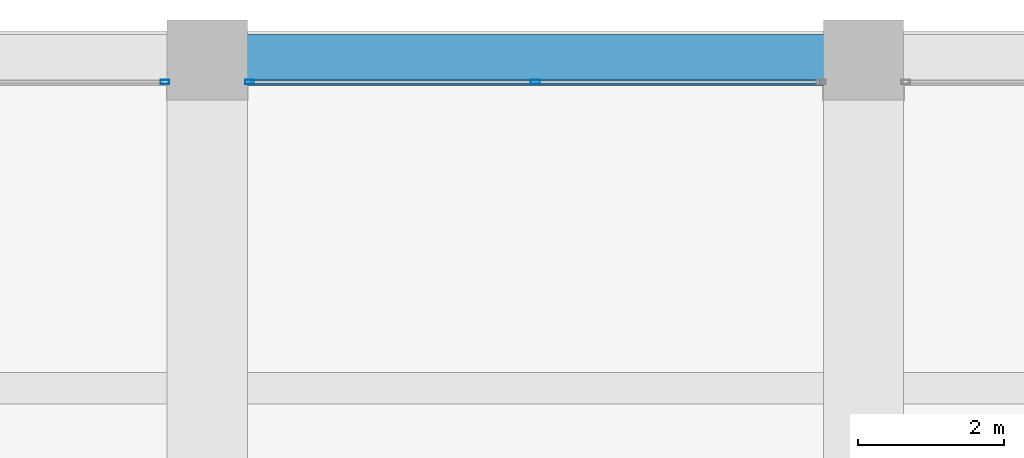
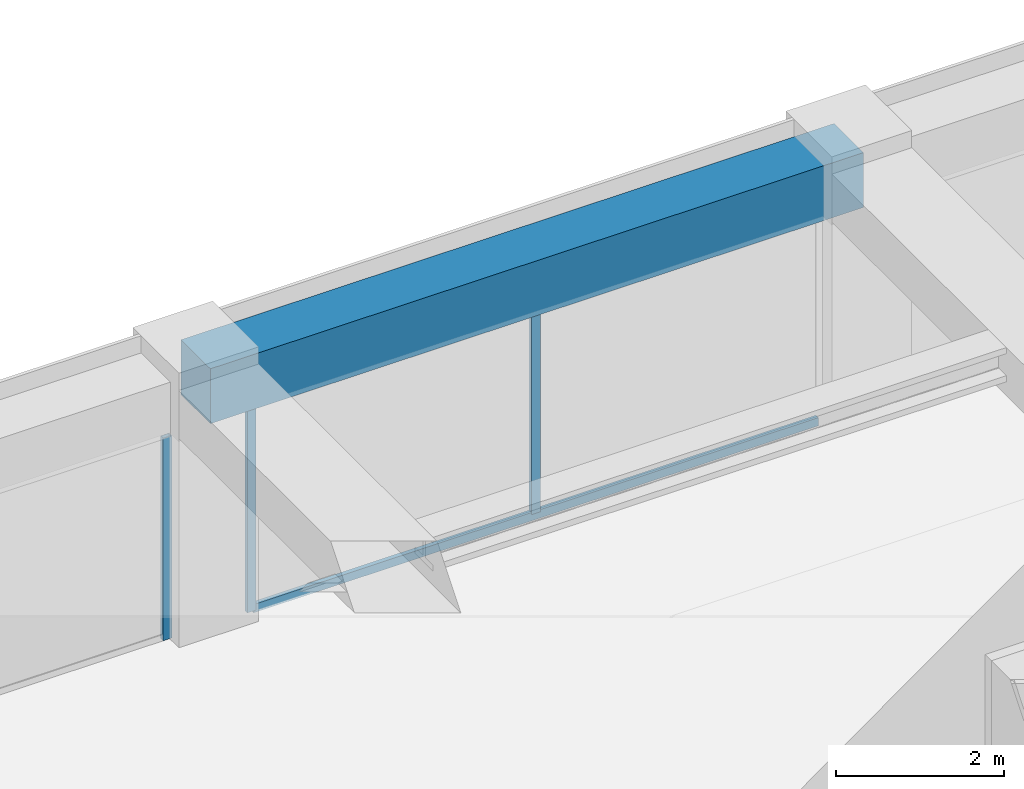
# One storey, part 33 of 44: 4 members, 1 beam, 2 elements without a shape of their own.
"""IFC4 building model written with IfcOpenShell, lengths in metres."""

from ifc_helpers import new_model, si_unit, direction, frame, origin, origin_2d, place, context, subcontext, project, spatial, rectangle, hollow_rectangle, extrude, material, material_profile, profile_set, type_object, element, aggregate, save


model = new_model("IFC4")

# Units and contexts
model_context = context("Model", 3, precision=1e-05, world=origin(), true_north=direction((0.0, 1.0)))
body_context = subcontext(model_context, "Body", "Model", "MODEL_VIEW")
ifc_project = project(units=[si_unit("LENGTHUNIT", "METRE"), si_unit("AREAUNIT", "SQUARE_METRE"), si_unit("VOLUMEUNIT", "CUBIC_METRE"), si_unit("PLANEANGLEUNIT", "RADIAN"), si_unit("MASSUNIT", "GRAM", prefix="KILO")], contexts=[model_context])

# Site, building, storey
site_placement = place(None, origin())
site = spatial("IfcSite", under=ifc_project, at=site_placement, CompositionType="ELEMENT")
building_placement = place(site_placement, origin())
building = spatial("IfcBuilding", under=site, at=building_placement, Name="Zorevar Civic Tower", CompositionType="ELEMENT")
storey_placement = place(building_placement, frame((0.0, 0.0, 263.39990234375)))
storey = spatial("IfcBuildingStorey", under=building, at=storey_placement, Name="L64", CompositionType="ELEMENT", Elevation=263.39990234375)

# Curtain wall, member
ifc_material_1 = material(Name="Dark grey solar-control glass in black aluminium frame", Category="aluminium")
curtain_wall_type = type_object("IfcCurtainWallType", Name="Curtain wall CW5 top zone", PredefinedType="NOTDEFINED", material=ifc_material_1)
curtain_wall_1_placement = place(storey_placement, origin())
curtain_wall_1 = element("IfcCurtainWall", 1, at=curtain_wall_1_placement, inside=storey, type_object=curtain_wall_type, Name="CW5 L64", PredefinedType="NOTDEFINED")
ifc_material_2 = material(Name="Aluminium, black anodised", Category="aluminium")
ifc_material_profile_1 = material_profile(ifc_material_2, hollow_rectangle(XDim=0.06005859375, YDim=0.1201171875, WallThickness=0.0029296875, at=origin_2d()), Name="AL 120x60x3")
ifc_profile_set_1 = profile_set([ifc_material_profile_1], Name="Aluminium, black anodised")
member_type_1 = type_object("IfcMemberType", Name="CW5 mullion AL 120x60x3", PredefinedType="MULLION", material=ifc_profile_set_1)
member_1_placement = place(storey_placement, frame((26.419921875, 44.699951171875, 0.0), z_axis=(0.0, 0.0, 1.0), x_axis=(0.0, 1.0, 0.0)))
member_1 = element("IfcMember", 2, at=member_1_placement, type_object=member_type_1, Name="CW5 mullion 3", PredefinedType="MULLION", context=body_context, shape_type="SweptSolid", body=[
    extrude(hollow_rectangle(XDim=0.06005859375, YDim=0.1201171875, WallThickness=0.0029296875, at=origin_2d()), origin(), (0.0, 0.0, 1.0), 2.9501953125),
])
aggregate(curtain_wall_1, [member_1])

# Curtain wall, members
curtain_wall_2_placement = place(storey_placement, origin())
curtain_wall_2 = element("IfcCurtainWall", 3, at=curtain_wall_2_placement, inside=storey, type_object=curtain_wall_type, Name="CW5 L64", PredefinedType="NOTDEFINED")
member_2_placement = place(storey_placement, frame((27.580078125, 44.699951171875, 0.0), z_axis=(0.0, 0.0, 1.0), x_axis=(0.0, 1.0, 0.0)))
member_2 = element("IfcMember", 4, at=member_2_placement, type_object=member_type_1, Name="CW5 mullion 1", PredefinedType="MULLION", context=body_context, shape_type="SweptSolid", body=[
    extrude(hollow_rectangle(XDim=0.06005859375, YDim=0.1201171875, WallThickness=0.0029296875, at=origin_2d()), origin(), (0.0, 0.0, 1.0), 2.9501953125),
])
member_3_placement = place(storey_placement, frame((31.5, 44.699951171875, 0.06005859375), z_axis=(0.0, 0.0, 1.0), x_axis=(0.0, 1.0, 0.0)))
member_3 = element("IfcMember", 5, at=member_3_placement, type_object=member_type_1, Name="CW5 mullion 2", PredefinedType="MULLION", context=body_context, shape_type="SweptSolid", body=[
    extrude(hollow_rectangle(XDim=0.06005859375, YDim=0.1201171875, WallThickness=0.0029296875, at=origin_2d()), origin(), (0.0, 0.0, 1.0), 2.89013671875),
])
ifc_material_3 = material(Name="Aluminium, black anodised", Category="aluminium")
ifc_material_profile_2 = material_profile(ifc_material_3, hollow_rectangle(XDim=0.06005859375, YDim=0.1201171875, WallThickness=0.0029296875, at=origin_2d()), Name="AL 120x60x3")
ifc_profile_set_2 = profile_set([ifc_material_profile_2], Name="Aluminium, black anodised")
member_type_2 = type_object("IfcMemberType", Name="CW5 transom AL 120x60x3", PredefinedType="USERDEFINED", material=ifc_profile_set_2)
member_4_placement = place(storey_placement, frame((27.610107421875, 44.699951171875, 0.030029296875), z_axis=(1.0, 0.0, 0.0), x_axis=(0.0, 1.0, 0.0)))
member_4 = element("IfcMember", 6, at=member_4_placement, type_object=member_type_2, Name="CW5 sill transom", ObjectType="TRANSOM", PredefinedType="USERDEFINED", context=body_context, shape_type="SweptSolid", body=[
    extrude(hollow_rectangle(XDim=0.06005859375, YDim=0.1201171875, WallThickness=0.0029296875, at=origin_2d()), origin(), (0.0, 0.0, 1.0), 7.77978515625),
])
aggregate(curtain_wall_2, [member_2, member_3, member_4])

# Beam
ifc_material_4 = material(Name="Concrete C50/60", Category="concrete")
ifc_material_profile_3 = material_profile(ifc_material_4, rectangle(XDim=0.699951171875, YDim=0.800048828125, at=origin_2d()), Name="RC 700x800")
ifc_profile_set_3 = profile_set([ifc_material_profile_3], Name="Concrete C50/60")
beam_type = type_object("IfcBeamType", Name="Edge beam RC 700x800", PredefinedType="SPANDREL", material=ifc_profile_set_3)
beam_placement = place(storey_placement, frame((27.0, 45.0, 3.35009765625), z_axis=(1.0, 0.0, 0.0), x_axis=(0.0, 1.0, 0.0)))
element("IfcBeam", 7, at=beam_placement, inside=storey, type_object=beam_type, Name="Edge beam L65", PredefinedType="SPANDREL", context=body_context, shape_type="SweptSolid", body=[
    extrude(rectangle(XDim=0.699951171875, YDim=0.800048828125, at=origin_2d()), origin(), (0.0, 0.0, 1.0), 9.0),
])

save(model, "model.ifc")
